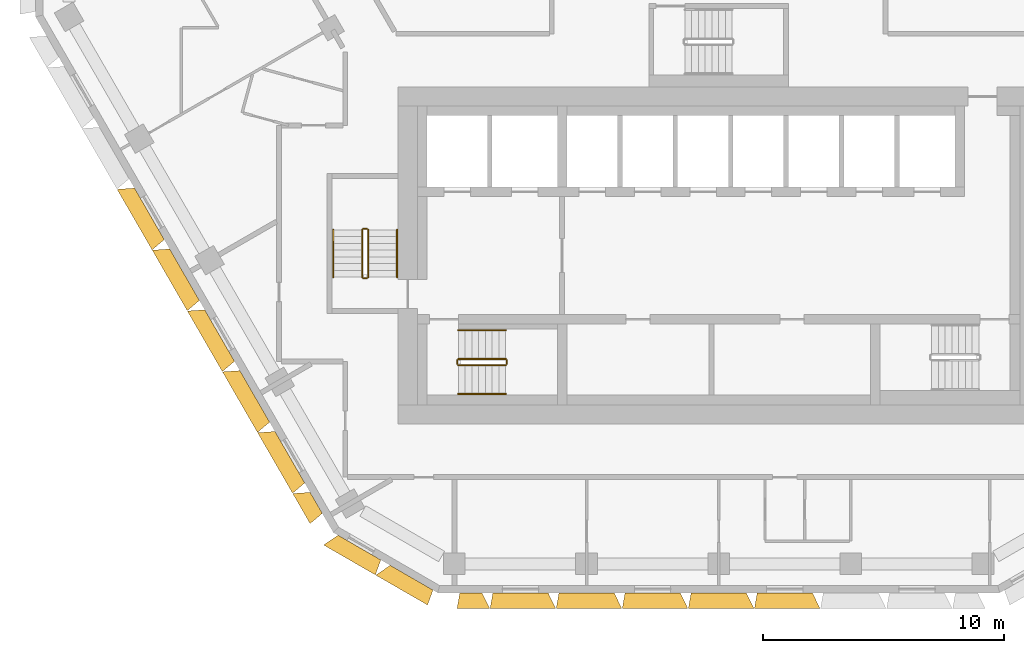
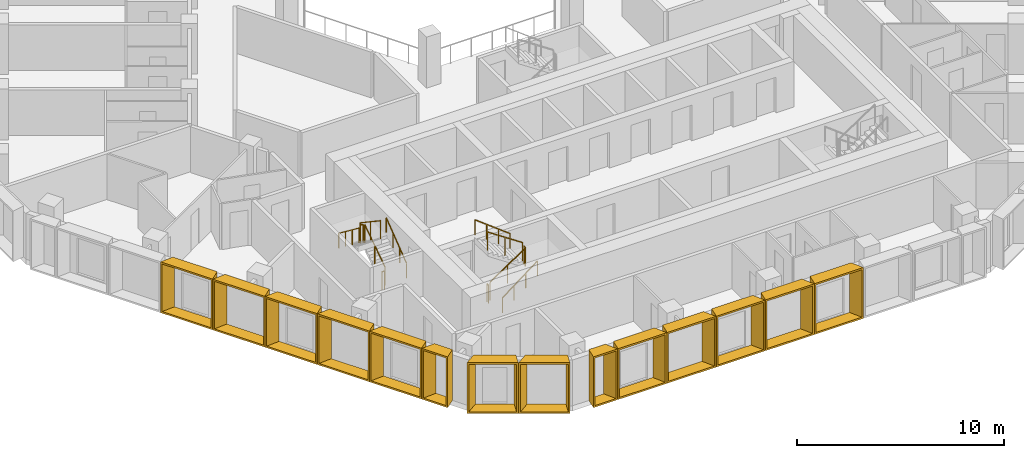
# One storey, part 12 of 15: 14 shading devices, 12 railings.
"""IFC4 building model written with IfcOpenShell, lengths in metres."""

from ifc_helpers import new_model, entity, si_unit, direction, frame, origin, origin_2d, place, context, subcontext, project, spatial, rectangle, extrude, source, transform, mapped, material, type_object, type_shapes, element, save


model = new_model("IFC4")

# Units and contexts
model_context = context("Model", 3, precision=1e-05, world=origin(), true_north=direction((0.0, 1.0)))
body_context = subcontext(model_context, "Body", "Model", "MODEL_VIEW")
ifc_project = project(units=[si_unit("LENGTHUNIT", "METRE"), si_unit("AREAUNIT", "SQUARE_METRE"), si_unit("VOLUMEUNIT", "CUBIC_METRE"), si_unit("PLANEANGLEUNIT", "RADIAN"), si_unit("MASSUNIT", "GRAM", prefix="KILO")], contexts=[model_context])

# Site, building, storey
site_placement = place(None, origin())
site = spatial("IfcSite", under=ifc_project, at=site_placement, CompositionType="ELEMENT")
building_placement = place(site_placement, origin())
building = spatial("IfcBuilding", under=site, at=building_placement, Name="Beryl Residences", CompositionType="ELEMENT")
storey_placement = place(building_placement, frame((0.0, 0.0, 147.60009765625)))
storey = spatial("IfcBuildingStorey", under=building, at=storey_placement, Name="L45", CompositionType="ELEMENT", Elevation=147.60009765625)

# Shading devices
ifc_material_1 = material(Name="Aluminium pale anodised", Category="aluminium")
shading_device_type_1 = type_object("IfcShadingDeviceType", Name="FR137-65C OUTER SKIN frame 650 mm deep, splay 10/26 deg, 1370 x 3000 mm cell", PredefinedType="USERDEFINED", material=ifc_material_1)
cartesian_point_1 = entity("IfcCartesianPoint", [-0.458984375, 0.0])
cartesian_point_2 = entity("IfcCartesianPoint", [-0.377685546875, 0.10009765625])
cartesian_point_3 = entity("IfcCartesianPoint", [-0.57373046875, 0.0])
cartesian_point_4 = entity("IfcCartesianPoint", [-0.492431640625, 0.10009765625])
shared_shape_1 = source(origin(), body_context, "Body", "SweptSolid", [
    entity("IfcExtrudedAreaSolidTapered", entity("IfcArbitraryProfileDefWithVoids", "AREA", None, entity("IfcPolyline", [cartesian_point_1, entity("IfcCartesianPoint", [0.458984375, 0.0]), entity("IfcCartesianPoint", [0.458984375, 3.0]), entity("IfcCartesianPoint", [-0.458984375, 3.0]), cartesian_point_1]), [entity("IfcPolyline", [cartesian_point_2, entity("IfcCartesianPoint", [0.369873046875, 0.10009765625]), entity("IfcCartesianPoint", [0.369873046875, 2.89990234375]), entity("IfcCartesianPoint", [-0.377685546875, 2.89990234375]), cartesian_point_2])]), entity("IfcAxis2Placement3D", entity("IfcCartesianPoint", [0.0, 0.0, 0.0]), entity("IfcDirection", [0.0, 1.0, 0.0]), entity("IfcDirection", [-1.0, 0.0, 0.0])), entity("IfcDirection", [0.0, 0.0, 1.0]), 0.64990234375, entity("IfcArbitraryProfileDefWithVoids", "AREA", None, entity("IfcPolyline", [cartesian_point_3, entity("IfcCartesianPoint", [0.776123046875, 0.0]), entity("IfcCartesianPoint", [0.776123046875, 3.0]), entity("IfcCartesianPoint", [-0.57373046875, 3.0]), cartesian_point_3]), [entity("IfcPolyline", [cartesian_point_4, entity("IfcCartesianPoint", [0.68701171875, 0.10009765625]), entity("IfcCartesianPoint", [0.68701171875, 2.89990234375]), entity("IfcCartesianPoint", [-0.492431640625, 2.89990234375]), cartesian_point_4])])),
])
type_shapes(shading_device_type_1, [shared_shape_1])
shading_device_1_placement = place(storey_placement, frame((-10.282958984375, -26.0, 0.0), z_axis=(0.0, 0.0, 1.0), x_axis=(-1.0, 0.0, 0.0)))
element("IfcShadingDevice", 1, at=shading_device_1_placement, inside=storey, type_object=shading_device_type_1, Name="FR137-65C frame L45 S 1", ObjectType="OUTER SKIN", PredefinedType="USERDEFINED", context=body_context, shape_type="MappedRepresentation", body=[
    mapped(shared_shape_1, transform((0.0, 0.0, 0.0))),
])
ifc_material_2 = material(Name="Aluminium pale anodised", Category="aluminium")
shading_device_type_2 = type_object("IfcShadingDeviceType", Name="FR146-65B OUTER SKIN frame 650 mm deep, splay 26/10 deg, 1460 x 3000 mm cell", PredefinedType="USERDEFINED", material=ifc_material_2)
cartesian_point_5 = entity("IfcCartesianPoint", [-0.50390625, 0.0])
cartesian_point_6 = entity("IfcCartesianPoint", [-0.4150390625, 0.10009765625])
cartesian_point_7 = entity("IfcCartesianPoint", [-0.821044921875, 0.0])
cartesian_point_8 = entity("IfcCartesianPoint", [-0.73193359375, 0.10009765625])
shared_shape_2 = source(origin(), body_context, "Body", "SweptSolid", [
    entity("IfcExtrudedAreaSolidTapered", entity("IfcArbitraryProfileDefWithVoids", "AREA", None, entity("IfcPolyline", [cartesian_point_5, entity("IfcCartesianPoint", [0.50390625, 0.0]), entity("IfcCartesianPoint", [0.50390625, 3.0]), entity("IfcCartesianPoint", [-0.50390625, 3.0]), cartesian_point_5]), [entity("IfcPolyline", [cartesian_point_6, entity("IfcCartesianPoint", [0.4228515625, 0.10009765625]), entity("IfcCartesianPoint", [0.4228515625, 2.89990234375]), entity("IfcCartesianPoint", [-0.4150390625, 2.89990234375]), cartesian_point_6])]), entity("IfcAxis2Placement3D", entity("IfcCartesianPoint", [0.0, 0.0, 0.0]), entity("IfcDirection", [0.0, 1.0, 0.0]), entity("IfcDirection", [-1.0, 0.0, 0.0])), entity("IfcDirection", [0.0, 0.0, 1.0]), 0.64990234375, entity("IfcArbitraryProfileDefWithVoids", "AREA", None, entity("IfcPolyline", [cartesian_point_7, entity("IfcCartesianPoint", [0.61865234375, 0.0]), entity("IfcCartesianPoint", [0.61865234375, 3.0]), entity("IfcCartesianPoint", [-0.821044921875, 3.0]), cartesian_point_7]), [entity("IfcPolyline", [cartesian_point_8, entity("IfcCartesianPoint", [0.537353515625, 0.10009765625]), entity("IfcCartesianPoint", [0.537353515625, 2.89990234375]), entity("IfcCartesianPoint", [-0.73193359375, 2.89990234375]), cartesian_point_8])])),
])
type_shapes(shading_device_type_2, [shared_shape_2])
shading_device_2_placement = place(storey_placement, frame((-16.7041015625, -22.26806640625, 0.0), z_axis=(0.0, 0.0, 1.0), x_axis=(-0.5, 0.866025403784, 0.0)))
element("IfcShadingDevice", 2, at=shading_device_2_placement, inside=storey, type_object=shading_device_type_2, Name="FR146-65B frame L45 SW 9", ObjectType="OUTER SKIN", PredefinedType="USERDEFINED", context=body_context, shape_type="MappedRepresentation", body=[
    mapped(shared_shape_2, transform((0.0, 0.0, 0.0))),
])
ifc_material_3 = material(Name="Aluminium pale anodised", Category="aluminium")
shading_device_type_3 = type_object("IfcShadingDeviceType", Name="FR250-65B OUTER SKIN frame 650 mm deep, splay 26/10 deg, 2500 x 3000 mm cell", PredefinedType="USERDEFINED", material=ifc_material_3)
cartesian_point_9 = entity("IfcCartesianPoint", [-1.02392578125, 0.0])
cartesian_point_10 = entity("IfcCartesianPoint", [-0.93505859375, 0.10009765625])
cartesian_point_11 = entity("IfcCartesianPoint", [-1.341064453125, 0.0])
cartesian_point_12 = entity("IfcCartesianPoint", [-1.251953125, 0.10009765625])
shared_shape_3 = source(origin(), body_context, "Body", "SweptSolid", [
    entity("IfcExtrudedAreaSolidTapered", entity("IfcArbitraryProfileDefWithVoids", "AREA", None, entity("IfcPolyline", [cartesian_point_9, entity("IfcCartesianPoint", [1.02392578125, 0.0]), entity("IfcCartesianPoint", [1.02392578125, 3.0]), entity("IfcCartesianPoint", [-1.02392578125, 3.0]), cartesian_point_9]), [entity("IfcPolyline", [cartesian_point_10, entity("IfcCartesianPoint", [0.94287109375, 0.10009765625]), entity("IfcCartesianPoint", [0.94287109375, 2.89990234375]), entity("IfcCartesianPoint", [-0.93505859375, 2.89990234375]), cartesian_point_10])]), entity("IfcAxis2Placement3D", entity("IfcCartesianPoint", [0.0, 0.0, 0.0]), entity("IfcDirection", [0.0, 1.0, 0.0]), entity("IfcDirection", [-1.0, 0.0, 0.0])), entity("IfcDirection", [0.0, 0.0, 1.0]), 0.64990234375, entity("IfcArbitraryProfileDefWithVoids", "AREA", None, entity("IfcPolyline", [cartesian_point_11, entity("IfcCartesianPoint", [1.138671875, 0.0]), entity("IfcCartesianPoint", [1.138671875, 3.0]), entity("IfcCartesianPoint", [-1.341064453125, 3.0]), cartesian_point_11]), [entity("IfcPolyline", [cartesian_point_12, entity("IfcCartesianPoint", [1.057373046875, 0.10009765625]), entity("IfcCartesianPoint", [1.057373046875, 2.89990234375]), entity("IfcCartesianPoint", [-1.251953125, 2.89990234375]), cartesian_point_12])])),
])
type_shapes(shading_device_type_3, [shared_shape_3])
for number, where, z_axis, x_axis, name in (
    (3, (-14.909912109375, -24.125, 0.0), (0.0, 0.0, 1.0), (-0.866025403784, 0.5, 0.0), "FR250-65B frame L45 SW-S 1"),
    (4, (-12.7451171875, -25.375, 0.0), (0.0, 0.0, 1.0), (-0.866025403784, 0.5, 0.0), "FR250-65B frame L45 SW-S 2"),
):
    element("IfcShadingDevice", number, at=place(storey_placement, frame(where, z_axis=z_axis, x_axis=x_axis)), inside=storey, type_object=shading_device_type_3, Name=name, ObjectType="OUTER SKIN", PredefinedType="USERDEFINED", context=body_context, shape_type="MappedRepresentation", body=[
        mapped(shared_shape_3, transform((0.0, 0.0, 0.0))),
    ])
ifc_material_4 = material(Name="Aluminium pale anodised", Category="aluminium")
shading_device_type_4 = type_object("IfcShadingDeviceType", Name="FR274-65C OUTER SKIN frame 650 mm deep, splay 10/26 deg, 2740 x 3000 mm cell", PredefinedType="USERDEFINED", material=ifc_material_4)
cartesian_point_13 = entity("IfcCartesianPoint", [-1.14404296875, 0.0])
cartesian_point_14 = entity("IfcCartesianPoint", [-1.062744140625, 0.10009765625])
cartesian_point_15 = entity("IfcCartesianPoint", [-1.258544921875, 0.0])
cartesian_point_16 = entity("IfcCartesianPoint", [-1.177490234375, 0.10009765625])
shared_shape_4 = source(origin(), body_context, "Body", "SweptSolid", [
    entity("IfcExtrudedAreaSolidTapered", entity("IfcArbitraryProfileDefWithVoids", "AREA", None, entity("IfcPolyline", [cartesian_point_13, entity("IfcCartesianPoint", [1.14404296875, 0.0]), entity("IfcCartesianPoint", [1.14404296875, 3.0]), entity("IfcCartesianPoint", [-1.14404296875, 3.0]), cartesian_point_13]), [entity("IfcPolyline", [cartesian_point_14, entity("IfcCartesianPoint", [1.054931640625, 0.10009765625]), entity("IfcCartesianPoint", [1.054931640625, 2.89990234375]), entity("IfcCartesianPoint", [-1.062744140625, 2.89990234375]), cartesian_point_14])]), entity("IfcAxis2Placement3D", entity("IfcCartesianPoint", [0.0, 0.0, 0.0]), entity("IfcDirection", [0.0, 1.0, 0.0]), entity("IfcDirection", [-1.0, 0.0, 0.0])), entity("IfcDirection", [0.0, 0.0, 1.0]), 0.64990234375, entity("IfcArbitraryProfileDefWithVoids", "AREA", None, entity("IfcPolyline", [cartesian_point_15, entity("IfcCartesianPoint", [1.4609375, 0.0]), entity("IfcCartesianPoint", [1.4609375, 3.0]), entity("IfcCartesianPoint", [-1.258544921875, 3.0]), cartesian_point_15]), [entity("IfcPolyline", [cartesian_point_16, entity("IfcCartesianPoint", [1.3720703125, 0.10009765625]), entity("IfcCartesianPoint", [1.3720703125, 2.89990234375]), entity("IfcCartesianPoint", [-1.177490234375, 2.89990234375]), cartesian_point_16])])),
])
type_shapes(shading_device_type_4, [shared_shape_4])
for number, where, z_axis, x_axis, name in (
    (5, (-8.22607421875, -26.0, 0.0), (0.0, 0.0, 1.0), (-1.0, 0.0, 0.0), "FR274-65C frame L45 S 2"),
    (6, (-5.48388671875, -26.0, 0.0), (0.0, 0.0, 1.0), (-1.0, 0.0, 0.0), "FR274-65C frame L45 S 3"),
    (7, (-2.741943359375, -26.0, 0.0), (0.0, 0.0, 1.0), (-1.0, 0.0, 0.0), "FR274-65C frame L45 S 4"),
    (8, (0.0009765625, -26.0, 0.0), (0.0, 0.0, 1.0), (-1.0, 0.0, 0.0), "FR274-65C frame L45 S 5"),
    (9, (2.743896484375, -26.0, 0.0), (0.0, 0.0, 1.0), (-1.0, 0.0, 0.0), "FR274-65C frame L45 S 6"),
):
    element("IfcShadingDevice", number, at=place(storey_placement, frame(where, z_axis=z_axis, x_axis=x_axis)), inside=storey, type_object=shading_device_type_4, Name=name, ObjectType="OUTER SKIN", PredefinedType="USERDEFINED", context=body_context, shape_type="MappedRepresentation", body=[
        mapped(shared_shape_4, transform((0.0, 0.0, 0.0))),
    ])
ifc_material_5 = material(Name="Aluminium pale anodised", Category="aluminium")
shading_device_type_5 = type_object("IfcShadingDeviceType", Name="FR292-65B OUTER SKIN frame 650 mm deep, splay 26/10 deg, 2920 x 3000 mm cell", PredefinedType="USERDEFINED", material=ifc_material_5)
cartesian_point_17 = entity("IfcCartesianPoint", [-1.23388671875, 0.0])
cartesian_point_18 = entity("IfcCartesianPoint", [-1.14501953125, 0.10009765625])
cartesian_point_19 = entity("IfcCartesianPoint", [-1.551025390625, 0.0])
cartesian_point_20 = entity("IfcCartesianPoint", [-1.4619140625, 0.10009765625])
shared_shape_5 = source(origin(), body_context, "Body", "SweptSolid", [
    entity("IfcExtrudedAreaSolidTapered", entity("IfcArbitraryProfileDefWithVoids", "AREA", None, entity("IfcPolyline", [cartesian_point_17, entity("IfcCartesianPoint", [1.23388671875, 0.0]), entity("IfcCartesianPoint", [1.23388671875, 3.0]), entity("IfcCartesianPoint", [-1.23388671875, 3.0]), cartesian_point_17]), [entity("IfcPolyline", [cartesian_point_18, entity("IfcCartesianPoint", [1.15283203125, 0.10009765625]), entity("IfcCartesianPoint", [1.15283203125, 2.89990234375]), entity("IfcCartesianPoint", [-1.14501953125, 2.89990234375]), cartesian_point_18])]), entity("IfcAxis2Placement3D", entity("IfcCartesianPoint", [0.0, 0.0, 0.0]), entity("IfcDirection", [0.0, 1.0, 0.0]), entity("IfcDirection", [-1.0, 0.0, 0.0])), entity("IfcDirection", [0.0, 0.0, 1.0]), 0.64990234375, entity("IfcArbitraryProfileDefWithVoids", "AREA", None, entity("IfcPolyline", [cartesian_point_19, entity("IfcCartesianPoint", [1.3486328125, 0.0]), entity("IfcCartesianPoint", [1.3486328125, 3.0]), entity("IfcCartesianPoint", [-1.551025390625, 3.0]), cartesian_point_19]), [entity("IfcPolyline", [cartesian_point_20, entity("IfcCartesianPoint", [1.267333984375, 0.10009765625]), entity("IfcCartesianPoint", [1.267333984375, 2.89990234375]), entity("IfcCartesianPoint", [-1.4619140625, 2.89990234375]), cartesian_point_20])])),
])
type_shapes(shading_device_type_5, [shared_shape_5])
for number, where, z_axis, x_axis, name in (
    (10, (-23.6279296875, -10.27392578125, 0.0), (0.0, 0.0, 1.0), (-0.5, 0.866025403784, 0.0), "FR292-65B frame L45 SW 4"),
    (11, (-22.169921875, -12.799072265625, 0.0), (0.0, 0.0, 1.0), (-0.5, 0.866025403784, 0.0), "FR292-65B frame L45 SW 5"),
    (12, (-20.712890625, -15.323974609375, 0.0), (0.0, 0.0, 1.0), (-0.5, 0.866025403784, 0.0), "FR292-65B frame L45 SW 6"),
    (13, (-19.2548828125, -17.84912109375, 0.0), (0.0, 0.0, 1.0), (-0.5, 0.866025403784, 0.0), "FR292-65B frame L45 SW 7"),
    (14, (-17.797119140625, -20.3740234375, 0.0), (0.0, 0.0, 1.0), (-0.5, 0.866025403784, 0.0), "FR292-65B frame L45 SW 8"),
):
    element("IfcShadingDevice", number, at=place(storey_placement, frame(where, z_axis=z_axis, x_axis=x_axis)), inside=storey, type_object=shading_device_type_5, Name=name, ObjectType="OUTER SKIN", PredefinedType="USERDEFINED", context=body_context, shape_type="MappedRepresentation", body=[
        mapped(shared_shape_5, transform((0.0, 0.0, 0.0))),
    ])

# Railings
ifc_material_6 = material(Name="Stainless steel balustrade with glass infill", Category="steel")
railing_type_1 = type_object("IfcRailingType", Name="SG1 stair guard 1100 mm", PredefinedType="GUARDRAIL", material=ifc_material_6)
railing_1_placement = place(storey_placement, frame((-10.800048828125, -16.550048828125, 0.1875)))
element("IfcRailing", 15, at=railing_1_placement, inside=storey, type_object=railing_type_1, Name="L45 ST-1 stair guard 1", PredefinedType="GUARDRAIL", context=body_context, shape_type="SweptSolid", body=[
    extrude(rectangle(XDim=0.048095703125, YDim=0.048095703125, at=origin_2d()), frame((0.0, 0.0, 1.076171875), z_axis=(0.830902050051, 0.0, 0.556418712142), x_axis=(0.0, 1.0, 0.0)), (0.0, 0.0, 1.0), 2.35888671875),
    extrude(rectangle(XDim=0.0419921875, YDim=0.0419921875, at=origin_2d()), origin(), (0.0, 0.0, 1.0), 1.052001953125),
    extrude(rectangle(XDim=0.0419921875, YDim=0.0419921875, at=origin_2d()), frame((0.97998046875, 0.0, 0.65625)), (0.0, 0.0, 1.0), 1.052001953125),
    extrude(rectangle(XDim=0.0419921875, YDim=0.0419921875, at=origin_2d()), frame((1.9599609375, 0.0, 1.3125)), (0.0, 0.0, 1.0), 1.052001953125),
])
railing_2_placement = place(storey_placement, frame((-8.7900390625, -16.5, 1.5)))
element("IfcRailing", 16, at=railing_2_placement, inside=storey, type_object=railing_type_1, Name="L45 ST-1 stair guard 2", PredefinedType="GUARDRAIL", context=body_context, shape_type="SweptSolid", body=[
    extrude(rectangle(XDim=0.048095703125, YDim=0.048095703125, at=origin_2d()), frame((0.0, 0.0, 1.076171875), z_axis=(0.0, 1.0, 0.0), x_axis=(-1.0, 0.0, 0.0)), (0.0, 0.0, 1.0), 0.14990234375),
    extrude(rectangle(XDim=0.0419921875, YDim=0.0419921875, at=origin_2d()), origin(), (0.0, 0.0, 1.0), 1.052001953125),
    extrude(rectangle(XDim=0.0419921875, YDim=0.0419921875, at=origin_2d()), frame((0.0, 0.14990234375, 0.0)), (0.0, 0.0, 1.0), 1.052001953125),
])
railing_3_placement = place(storey_placement, frame((-8.840087890625, -16.300048828125, 1.6875)))
element("IfcRailing", 17, at=railing_3_placement, inside=storey, type_object=railing_type_1, Name="L45 ST-1 stair guard 3", PredefinedType="GUARDRAIL", context=body_context, shape_type="SweptSolid", body=[
    extrude(rectangle(XDim=0.048095703125, YDim=0.048095703125, at=origin_2d()), frame((0.0, 0.0, 1.076171875), z_axis=(-0.830902050051, 0.0, 0.556418712142), x_axis=(0.0, -1.0, 0.0)), (0.0, 0.0, 1.0), 2.35888671875),
    extrude(rectangle(XDim=0.0419921875, YDim=0.0419921875, at=origin_2d()), origin(), (0.0, 0.0, 1.0), 1.052001953125),
    extrude(rectangle(XDim=0.0419921875, YDim=0.0419921875, at=origin_2d()), frame((-0.97998046875, 0.0, 0.65625)), (0.0, 0.0, 1.0), 1.052001953125),
    extrude(rectangle(XDim=0.0419921875, YDim=0.0419921875, at=origin_2d()), frame((-1.9599609375, 0.0, 1.3125)), (0.0, 0.0, 1.0), 1.052001953125),
])
railing_4_placement = place(storey_placement, frame((-10.85009765625, -16.5, 0.0)))
element("IfcRailing", 18, at=railing_4_placement, inside=storey, type_object=railing_type_1, Name="L45 ST-1 stair guard 4", PredefinedType="GUARDRAIL", context=body_context, shape_type="SweptSolid", body=[
    extrude(rectangle(XDim=0.048095703125, YDim=0.048095703125, at=origin_2d()), frame((0.0, 0.0, 1.076171875), z_axis=(0.0, 1.0, 0.0), x_axis=(-1.0, 0.0, 0.0)), (0.0, 0.0, 1.0), 0.14990234375),
    extrude(rectangle(XDim=0.0419921875, YDim=0.0419921875, at=origin_2d()), origin(), (0.0, 0.0, 1.0), 1.052001953125),
    extrude(rectangle(XDim=0.0419921875, YDim=0.0419921875, at=origin_2d()), frame((0.0, 0.14990234375, 0.0)), (0.0, 0.0, 1.0), 1.052001953125),
])
railing_5_placement = place(storey_placement, frame((-14.550048828125, -12.89990234375, 0.1875)))
element("IfcRailing", 19, at=railing_5_placement, inside=storey, type_object=railing_type_1, Name="L45 ST-2 stair guard 1", PredefinedType="GUARDRAIL", context=body_context, shape_type="SweptSolid", body=[
    extrude(rectangle(XDim=0.048095703125, YDim=0.048095703125, at=origin_2d()), frame((0.0, 0.0, 1.076171875), z_axis=(0.0, 0.830902050051, 0.556418712142), x_axis=(-1.0, 0.0, 0.0)), (0.0, 0.0, 1.0), 2.35888671875),
    extrude(rectangle(XDim=0.0419921875, YDim=0.0419921875, at=origin_2d()), origin(), (0.0, 0.0, 1.0), 1.052001953125),
    extrude(rectangle(XDim=0.0419921875, YDim=0.0419921875, at=origin_2d()), frame((0.0, 0.97998046875, 0.65625)), (0.0, 0.0, 1.0), 1.052001953125),
    extrude(rectangle(XDim=0.0419921875, YDim=0.0419921875, at=origin_2d()), frame((0.0, 1.9599609375, 1.3125)), (0.0, 0.0, 1.0), 1.052001953125),
])
railing_6_placement = place(storey_placement, frame((-14.60009765625, -10.889892578125, 1.5)))
element("IfcRailing", 20, at=railing_6_placement, inside=storey, type_object=railing_type_1, Name="L45 ST-2 stair guard 2", PredefinedType="GUARDRAIL", context=body_context, shape_type="SweptSolid", body=[
    extrude(rectangle(XDim=0.048095703125, YDim=0.048095703125, at=origin_2d()), frame((0.0, 0.0, 1.076171875), z_axis=(-1.0, 0.0, 0.0), x_axis=(0.0, -1.0, 0.0)), (0.0, 0.0, 1.0), 0.14990234375),
    extrude(rectangle(XDim=0.0419921875, YDim=0.0419921875, at=origin_2d()), origin(), (0.0, 0.0, 1.0), 1.052001953125),
    extrude(rectangle(XDim=0.0419921875, YDim=0.0419921875, at=origin_2d()), frame((-0.14990234375, 0.0, 0.0)), (0.0, 0.0, 1.0), 1.052001953125),
])
railing_7_placement = place(storey_placement, frame((-14.800048828125, -10.93994140625, 1.6875)))
element("IfcRailing", 21, at=railing_7_placement, inside=storey, type_object=railing_type_1, Name="L45 ST-2 stair guard 3", PredefinedType="GUARDRAIL", context=body_context, shape_type="SweptSolid", body=[
    extrude(rectangle(XDim=0.048095703125, YDim=0.048095703125, at=origin_2d()), frame((0.0, 0.0, 1.076171875), z_axis=(0.0, -0.830902050051, 0.556418712142), x_axis=(1.0, 0.0, 0.0)), (0.0, 0.0, 1.0), 2.35888671875),
    extrude(rectangle(XDim=0.0419921875, YDim=0.0419921875, at=origin_2d()), origin(), (0.0, 0.0, 1.0), 1.052001953125),
    extrude(rectangle(XDim=0.0419921875, YDim=0.0419921875, at=origin_2d()), frame((0.0, -0.97998046875, 0.65625)), (0.0, 0.0, 1.0), 1.052001953125),
    extrude(rectangle(XDim=0.0419921875, YDim=0.0419921875, at=origin_2d()), frame((0.0, -1.9599609375, 1.3125)), (0.0, 0.0, 1.0), 1.052001953125),
])
railing_8_placement = place(storey_placement, frame((-14.60009765625, -12.949951171875, 0.0)))
element("IfcRailing", 22, at=railing_8_placement, inside=storey, type_object=railing_type_1, Name="L45 ST-2 stair guard 4", PredefinedType="GUARDRAIL", context=body_context, shape_type="SweptSolid", body=[
    extrude(rectangle(XDim=0.048095703125, YDim=0.048095703125, at=origin_2d()), frame((0.0, 0.0, 1.076171875), z_axis=(-1.0, 0.0, 0.0), x_axis=(0.0, -1.0, 0.0)), (0.0, 0.0, 1.0), 0.14990234375),
    extrude(rectangle(XDim=0.0419921875, YDim=0.0419921875, at=origin_2d()), origin(), (0.0, 0.0, 1.0), 1.052001953125),
    extrude(rectangle(XDim=0.0419921875, YDim=0.0419921875, at=origin_2d()), frame((-0.14990234375, 0.0, 0.0)), (0.0, 0.0, 1.0), 1.052001953125),
])
ifc_material_7 = material(Name="Stainless steel handrail", Category="steel")
railing_type_2 = type_object("IfcRailingType", Name="SRL1 stair handrail 900 mm", PredefinedType="HANDRAIL", material=ifc_material_7)
railing_9_placement = place(storey_placement, frame((-10.800048828125, -17.75, 0.1875)))
element("IfcRailing", 23, at=railing_9_placement, inside=storey, type_object=railing_type_2, Name="L45 ST-1 stair handrail 1", PredefinedType="HANDRAIL", context=body_context, shape_type="SweptSolid", body=[
    extrude(rectangle(XDim=0.048095703125, YDim=0.048095703125, at=origin_2d()), frame((0.0, 0.0, 0.8759765625), z_axis=(0.794121922505, 0.0, 0.607758481798), x_axis=(0.0, 1.0, 0.0)), (0.0, 0.0, 1.0), 2.468017578125),
    extrude(rectangle(XDim=0.0419921875, YDim=0.0419921875, at=origin_2d()), origin(), (0.0, 0.0, 1.0), 0.851806640625),
    extrude(rectangle(XDim=0.0419921875, YDim=0.0419921875, at=origin_2d()), frame((0.6533203125, 0.0, 0.5)), (0.0, 0.0, 1.0), 0.851806640625),
    extrude(rectangle(XDim=0.0419921875, YDim=0.0419921875, at=origin_2d()), frame((1.306640625, 0.0, 1.0)), (0.0, 0.0, 1.0), 0.851806640625),
    extrude(rectangle(XDim=0.0419921875, YDim=0.0419921875, at=origin_2d()), frame((1.9599609375, 0.0, 1.5)), (0.0, 0.0, 1.0), 0.851806640625),
])
railing_10_placement = place(storey_placement, frame((-8.840087890625, -15.10009765625, 1.6875)))
element("IfcRailing", 24, at=railing_10_placement, inside=storey, type_object=railing_type_2, Name="L45 ST-1 stair handrail 2", PredefinedType="HANDRAIL", context=body_context, shape_type="SweptSolid", body=[
    extrude(rectangle(XDim=0.048095703125, YDim=0.048095703125, at=origin_2d()), frame((0.0, 0.0, 0.8759765625), z_axis=(-0.794121922505, 0.0, 0.607758481798), x_axis=(0.0, -1.0, 0.0)), (0.0, 0.0, 1.0), 2.468017578125),
    extrude(rectangle(XDim=0.0419921875, YDim=0.0419921875, at=origin_2d()), origin(), (0.0, 0.0, 1.0), 0.851806640625),
    extrude(rectangle(XDim=0.0419921875, YDim=0.0419921875, at=origin_2d()), frame((-0.6533203125, 0.0, 0.5)), (0.0, 0.0, 1.0), 0.851806640625),
    extrude(rectangle(XDim=0.0419921875, YDim=0.0419921875, at=origin_2d()), frame((-1.306640625, 0.0, 1.0)), (0.0, 0.0, 1.0), 0.851806640625),
    extrude(rectangle(XDim=0.0419921875, YDim=0.0419921875, at=origin_2d()), frame((-1.9599609375, 0.0, 1.5)), (0.0, 0.0, 1.0), 0.851806640625),
])
railing_11_placement = place(storey_placement, frame((-13.35009765625, -12.89990234375, 0.1875)))
element("IfcRailing", 25, at=railing_11_placement, inside=storey, type_object=railing_type_2, Name="L45 ST-2 stair handrail 1", PredefinedType="HANDRAIL", context=body_context, shape_type="SweptSolid", body=[
    extrude(rectangle(XDim=0.048095703125, YDim=0.048095703125, at=origin_2d()), frame((0.0, 0.0, 0.8759765625), z_axis=(0.0, 0.794121922505, 0.607758481798), x_axis=(-1.0, 0.0, 0.0)), (0.0, 0.0, 1.0), 2.468017578125),
    extrude(rectangle(XDim=0.0419921875, YDim=0.0419921875, at=origin_2d()), origin(), (0.0, 0.0, 1.0), 0.851806640625),
    extrude(rectangle(XDim=0.0419921875, YDim=0.0419921875, at=origin_2d()), frame((0.0, 0.6533203125, 0.5)), (0.0, 0.0, 1.0), 0.851806640625),
    extrude(rectangle(XDim=0.0419921875, YDim=0.0419921875, at=origin_2d()), frame((0.0, 1.306640625, 1.0)), (0.0, 0.0, 1.0), 0.851806640625),
    extrude(rectangle(XDim=0.0419921875, YDim=0.0419921875, at=origin_2d()), frame((0.0, 1.9599609375, 1.5)), (0.0, 0.0, 1.0), 0.851806640625),
])
railing_12_placement = place(storey_placement, frame((-16.0, -10.93994140625, 1.6875)))
element("IfcRailing", 26, at=railing_12_placement, inside=storey, type_object=railing_type_2, Name="L45 ST-2 stair handrail 2", PredefinedType="HANDRAIL", context=body_context, shape_type="SweptSolid", body=[
    extrude(rectangle(XDim=0.048095703125, YDim=0.048095703125, at=origin_2d()), frame((0.0, 0.0, 0.8759765625), z_axis=(0.0, -0.794121922505, 0.607758481798), x_axis=(1.0, 0.0, 0.0)), (0.0, 0.0, 1.0), 2.468017578125),
    extrude(rectangle(XDim=0.0419921875, YDim=0.0419921875, at=origin_2d()), origin(), (0.0, 0.0, 1.0), 0.851806640625),
    extrude(rectangle(XDim=0.0419921875, YDim=0.0419921875, at=origin_2d()), frame((0.0, -0.6533203125, 0.5)), (0.0, 0.0, 1.0), 0.851806640625),
    extrude(rectangle(XDim=0.0419921875, YDim=0.0419921875, at=origin_2d()), frame((0.0, -1.306640625, 1.0)), (0.0, 0.0, 1.0), 0.851806640625),
    extrude(rectangle(XDim=0.0419921875, YDim=0.0419921875, at=origin_2d()), frame((0.0, -1.9599609375, 1.5)), (0.0, 0.0, 1.0), 0.851806640625),
])

save(model, "model.ifc")
